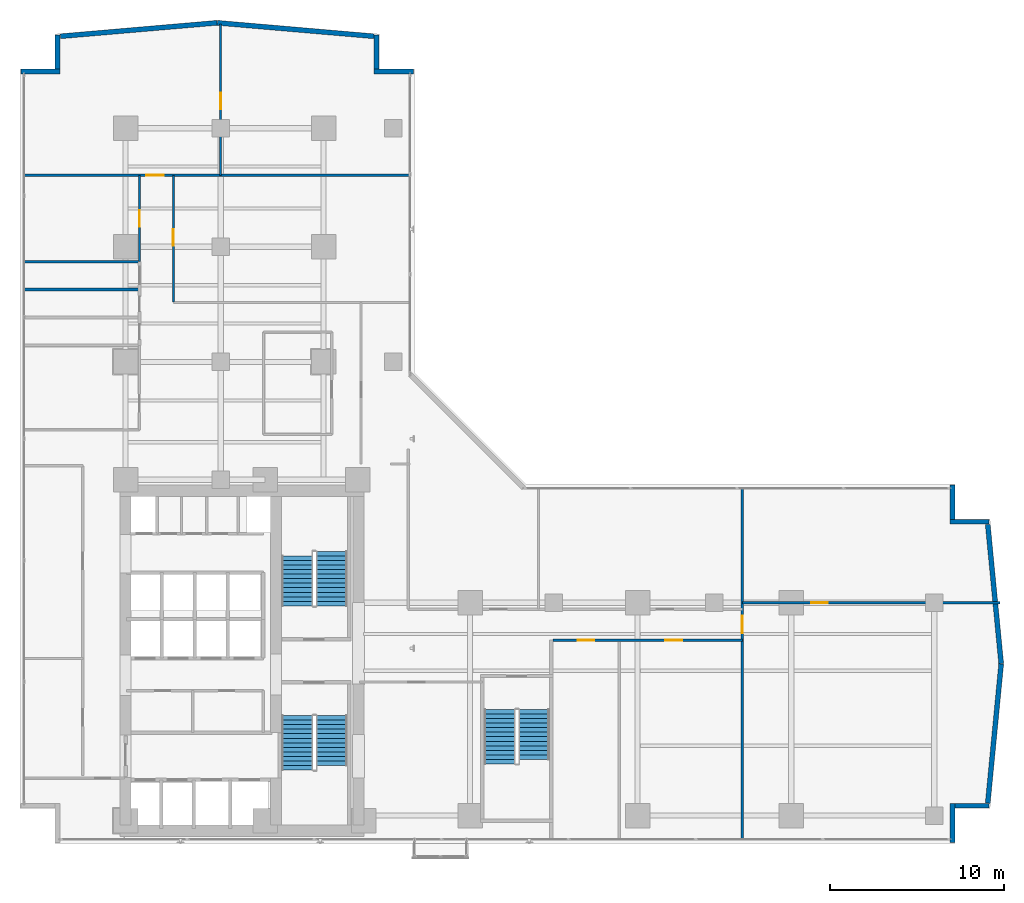
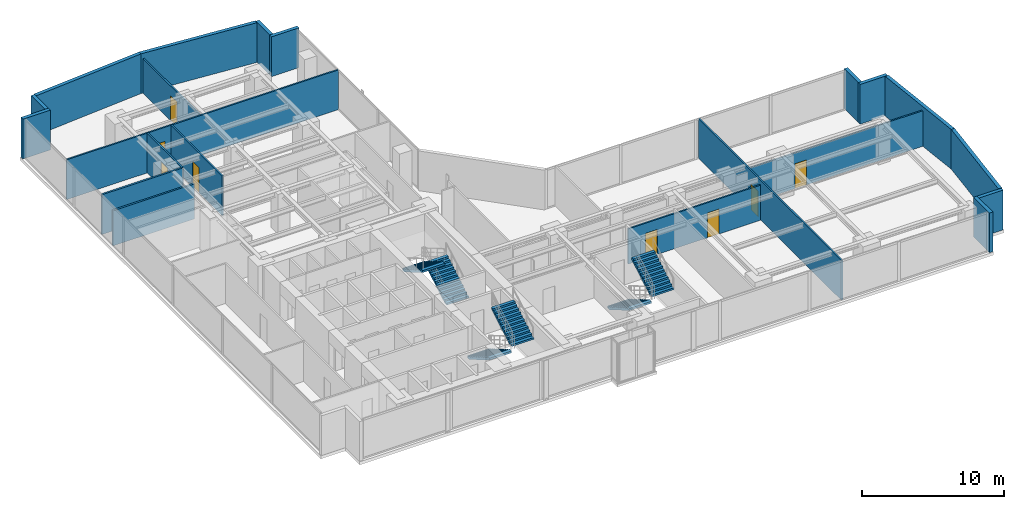
# One storey, part 21 of 25: 21 walls, 8 doors, 6 stair flights, 8 openings, 3 elements without a shape of their own.
"""IFC4 building model written with IfcOpenShell, lengths in metres."""

from ifc_helpers import new_model, si_unit, direction, frame, frame_2d, origin, place, context, subcontext, project, spatial, polyline, rectangle, outline, extrude, material, layer, layer_set, type_object, element, fill, aggregate, save


model = new_model("IFC4")

# Units and contexts
model_context = context("Model", 3, precision=1e-05, world=origin(), true_north=direction((0.0, 1.0)))
body_context = subcontext(model_context, "Body", "Model", "MODEL_VIEW")
ifc_project = project(units=[si_unit("LENGTHUNIT", "METRE"), si_unit("AREAUNIT", "SQUARE_METRE"), si_unit("VOLUMEUNIT", "CUBIC_METRE"), si_unit("PLANEANGLEUNIT", "RADIAN"), si_unit("MASSUNIT", "GRAM", prefix="KILO")], contexts=[model_context])

# Site, building, storey
site_placement = place(None, origin())
site = spatial("IfcSite", under=ifc_project, at=site_placement, CompositionType="ELEMENT")
building_placement = place(site_placement, origin())
building = spatial("IfcBuilding", under=site, at=building_placement, Name="Kolvaren Waterfront Exchange", CompositionType="ELEMENT")
storey_placement = place(building_placement, frame((0.0, 0.0, 137.300048828125)))
storey = spatial("IfcBuildingStorey", under=building, at=storey_placement, Name="L35", CompositionType="ELEMENT", Elevation=137.300048828125)

# Walls
ifc_material_1 = material(Name="Precast concrete C40/50", Category="concrete")
ifc_layer_1 = layer(ifc_material_1, 0.280029296875, Name="Precast concrete C40/50")
ifc_layer_set_1 = layer_set([ifc_layer_1], Name="Precast concrete C40/50")
wall_type_1 = type_object("IfcWallType", Name="ARC-EXT-TERR-280", PredefinedType="SOLIDWALL", material=ifc_layer_set_1)
wall_1_placement = place(storey_placement, frame((54.840087890625, 3.659912109375, 0.0), z_axis=(0.0, 0.0, 1.0), x_axis=(0.0, 1.0, 0.0)))
element("IfcWall", 1, at=wall_1_placement, inside=storey, type_object=wall_type_1, Name="L35 notched corner spandrel pier SE-A", PredefinedType="SOLIDWALL", context=body_context, shape_type="SweptSolid", body=[
    extrude(rectangle(XDim=2.239990234375, YDim=0.280029296875, at=frame_2d((1.1201171875, 0.0))), origin(), (0.0, 0.0, 1.0), 3.419921875),
])
wall_2_placement = place(storey_placement, frame((54.97998046875, 5.760009765625, 0.0), z_axis=(0.0, 0.0, 1.0), x_axis=(1.0, 0.0, 0.0)))
element("IfcWall", 2, at=wall_2_placement, inside=storey, type_object=wall_type_1, Name="L35 notched corner spandrel pier SE-B", PredefinedType="SOLIDWALL", context=body_context, shape_type="SweptSolid", body=[
    extrude(rectangle(XDim=1.9599609375, YDim=0.280029296875, at=frame_2d((0.97998046875, 0.0))), origin(), (0.0, 0.0, 1.0), 3.419921875),
])
wall_3_placement = place(storey_placement, frame((54.840087890625, 22.1650390625, 0.0), z_axis=(0.0, 0.0, 1.0), x_axis=(0.0, 1.0, 0.0)))
element("IfcWall", 3, at=wall_3_placement, inside=storey, type_object=wall_type_1, Name="L35 notched corner spandrel pier ENE-A", PredefinedType="SOLIDWALL", context=body_context, shape_type="SweptSolid", body=[
    extrude(rectangle(XDim=1.974853515625, YDim=0.280029296875, at=frame_2d((0.9873046875, 0.0))), origin(), (0.0, 0.0, 1.0), 3.419921875),
])
for number, where, z_axis, x_axis, name in (
    (4, (54.699951171875, 22.0400390625, 0.0), (0.0, 0.0, 1.0), (1.0, 0.0, 0.0), "L35 notched corner spandrel pier ENE-B"),
    (5, (21.699951171875, 47.840087890625, 0.0), (0.0, 0.0, 1.0), (1.0, 0.0, 0.0), "L35 notched corner spandrel pier NNE-A"),
):
    element("IfcWall", number, at=place(storey_placement, frame(where, z_axis=z_axis, x_axis=x_axis)), inside=storey, type_object=wall_type_1, Name=name, PredefinedType="SOLIDWALL", context=body_context, shape_type="SweptSolid", body=[
        extrude(rectangle(XDim=2.239990234375, YDim=0.280029296875, at=frame_2d((1.1201171875, 0.0))), origin(), (0.0, 0.0, 1.0), 3.419921875),
    ])
wall_4_placement = place(storey_placement, frame((21.840087890625, 47.97998046875, 0.0), z_axis=(0.0, 0.0, 1.0), x_axis=(0.0, 1.0, 0.0)))
element("IfcWall", 6, at=wall_4_placement, inside=storey, type_object=wall_type_1, Name="L35 notched corner spandrel pier NNE-B", PredefinedType="SOLIDWALL", context=body_context, shape_type="SweptSolid", body=[
    extrude(rectangle(XDim=1.9599609375, YDim=0.280029296875, at=frame_2d((0.97998046875, 0.0))), origin(), (0.0, 0.0, 1.0), 3.419921875),
])
wall_5_placement = place(storey_placement, frame((1.4599609375, 47.840087890625, 0.0), z_axis=(0.0, 0.0, 1.0), x_axis=(1.0, 0.0, 0.0)))
element("IfcWall", 7, at=wall_5_placement, inside=storey, type_object=wall_type_1, Name="L35 notched corner spandrel pier NW-A", PredefinedType="SOLIDWALL", context=body_context, shape_type="SweptSolid", body=[
    extrude(rectangle(XDim=2.239990234375, YDim=0.280029296875, at=frame_2d((1.1201171875, 0.0))), origin(), (0.0, 0.0, 1.0), 3.419921875),
])
wall_6_placement = place(storey_placement, frame((3.56005859375, 47.97998046875, 0.0), z_axis=(0.0, 0.0, 1.0), x_axis=(0.0, 1.0, 0.0)))
element("IfcWall", 8, at=wall_6_placement, inside=storey, type_object=wall_type_1, Name="L35 notched corner spandrel pier NW-B", PredefinedType="SOLIDWALL", context=body_context, shape_type="SweptSolid", body=[
    extrude(rectangle(XDim=1.9599609375, YDim=0.280029296875, at=frame_2d((0.97998046875, 0.0))), origin(), (0.0, 0.0, 1.0), 3.419921875),
])
for number, where, z_axis, x_axis, name in (
    (9, (56.869384765625, 5.9140625, 0.0), (0.0, 0.0, 1.0), (0.095969995245, 0.995384227328, 0.0), "L35 east prow faceted facade wall 1"),
    (10, (57.638916015625, 13.904541015625, 0.0), (0.0, 0.0, 1.0), (-0.095969995245, 0.995384227328, 0.0), "L35 east prow faceted facade wall 2"),
):
    element("IfcWall", number, at=place(storey_placement, frame(where, z_axis=z_axis, x_axis=x_axis)), inside=storey, type_object=wall_type_1, Name=name, PredefinedType="SOLIDWALL", context=body_context, shape_type="SweptSolid", body=[
        extrude(rectangle(XDim=8.0185546875, YDim=0.280029296875, at=frame_2d((4.00927734375, 0.0))), origin(), (0.0, 0.0, 1.0), 3.419921875),
    ])
for number, where, z_axis, x_axis, name in (
    (11, (21.6875, 49.8662109375, 0.0), (0.0, 0.0, 1.0), (-0.996319339243, 0.085719159179, 0.0), "L35 north prow faceted facade wall 1"),
    (12, (12.69384765625, 50.638916015625, 0.0), (0.0, 0.0, 1.0), (-0.996319339243, -0.085719159179, 0.0), "L35 north prow faceted facade wall 2"),
):
    element("IfcWall", number, at=place(storey_placement, frame(where, z_axis=z_axis, x_axis=x_axis)), inside=storey, type_object=wall_type_1, Name=name, PredefinedType="SOLIDWALL", context=body_context, shape_type="SweptSolid", body=[
        extrude(rectangle(XDim=9.014404296875, YDim=0.280029296875, at=frame_2d((4.50732421875, 0.0))), origin(), (0.0, 0.0, 1.0), 3.419921875),
    ])

# Wall, openings, doors
ifc_material_2 = material(Name="Acoustic gypsum steel stud", Category="steel")
ifc_layer_2 = layer(ifc_material_2, 0.125, Name="Acoustic gypsum steel stud")
ifc_layer_set_2 = layer_set([ifc_layer_2], Name="Acoustic gypsum steel stud")
wall_type_2 = type_object("IfcWallType", Name="ARC-PART-125", PredefinedType="PARTITIONING", material=ifc_layer_set_2)
wall_7_placement = place(storey_placement, frame((31.949951171875, 15.25, 0.0), z_axis=(0.0, 0.0, 1.0), x_axis=(1.0, 0.0, 0.0)))
wall_7 = element("IfcWall", 13, at=wall_7_placement, inside=storey, type_object=wall_type_2, Name="L35 interior wall PW-L35-ES-CORR", PredefinedType="PARTITIONING", context=body_context, shape_type="SweptSolid", body=[
    extrude(rectangle(XDim=10.85009765625, YDim=0.125, at=frame_2d((5.425048828125, 0.0))), origin(), (0.0, 0.0, 1.0), 3.02001953125),
])
opening_1_placement = place(wall_7_placement, frame((1.425048828125, 0.0, 0.0)))
opening_1 = element("IfcOpeningElement", 14, at=opening_1_placement, cuts=wall_7, Name="Opening D02", PredefinedType="OPENING", context=body_context, shape_type="SweptSolid", body=[
    extrude(rectangle(XDim=0.949951171875, YDim=2.14990234375, at=frame_2d((0.47509765625, 1.074951171875))), frame((0.0, 0.072509765625, 0.0), z_axis=(0.0, -1.0, 0.0), x_axis=(1.0, 0.0, 0.0)), (0.0, 0.0, 1.0), 0.14501953125),
])
opening_2_placement = place(wall_7_placement, frame((6.4453125, 0.0, 0.0)))
opening_2 = element("IfcOpeningElement", 15, at=opening_2_placement, cuts=wall_7, Name="Opening D02", PredefinedType="OPENING", context=body_context, shape_type="SweptSolid", body=[
    extrude(rectangle(XDim=0.949951171875, YDim=2.14990234375, at=frame_2d((0.47509765625, 1.074951171875))), frame((0.0, 0.072509765625, 0.0), z_axis=(0.0, -1.0, 0.0), x_axis=(1.0, 0.0, 0.0)), (0.0, 0.0, 1.0), 0.14501953125),
])
ifc_material_3 = material(Name="Oak veneer acoustic timber", Category="wood")
door_type_1 = type_object("IfcDoorType", Name="ARC-DR-950", OperationType="NOTDEFINED", PredefinedType="DOOR", material=ifc_material_3)
door_1_placement = place(opening_1_placement, origin())
door_1 = element("IfcDoor", 16, at=door_1_placement, inside=storey, type_object=door_type_1, Name="L35 door DR-L35-ES-D-1 (D02)", OperationType="SINGLE_SWING_LEFT", OverallHeight=2.14990234375, OverallWidth=0.949951171875, PredefinedType="DOOR", context=body_context, shape_type="SweptSolid", body=[
    extrude(rectangle(XDim=0.949951171875, YDim=2.14990234375, at=frame_2d((0.47509765625, 1.074951171875))), frame((0.0, 0.02490234375, 0.0), z_axis=(0.0, -1.0, 0.0), x_axis=(1.0, 0.0, 0.0)), (0.0, 0.0, 1.0), 0.050048828125),
])
fill(opening_1, door_1)
door_2_placement = place(opening_2_placement, origin())
door_2 = element("IfcDoor", 17, at=door_2_placement, inside=storey, type_object=door_type_1, Name="L35 door DR-L35-ES-D-2 (D02)", OperationType="SINGLE_SWING_RIGHT", OverallHeight=2.14990234375, OverallWidth=0.949951171875, PredefinedType="DOOR", context=body_context, shape_type="SweptSolid", body=[
    extrude(rectangle(XDim=0.949951171875, YDim=2.14990234375, at=frame_2d((0.47509765625, 1.074951171875))), frame((0.0, 0.02490234375, 0.0), z_axis=(0.0, -1.0, 0.0), x_axis=(1.0, 0.0, 0.0)), (0.0, 0.0, 1.0), 0.050048828125),
])
fill(opening_2, door_2)

# Wall, opening, door
wall_8_placement = place(storey_placement, frame((42.800048828125, 3.840087890625, 0.0), z_axis=(0.0, 0.0, 1.0), x_axis=(0.0, 1.0, 0.0)))
wall_8 = element("IfcWall", 18, at=wall_8_placement, inside=storey, type_object=wall_type_2, Name="L35 interior wall PW-L35-ETIP-W", PredefinedType="PARTITIONING", context=body_context, shape_type="SweptSolid", body=[
    extrude(rectangle(XDim=20.119873046875, YDim=0.125, at=frame_2d((10.06005859375, 0.0))), origin(), (0.0, 0.0, 1.0), 3.419921875),
])
opening_3_placement = place(wall_8_placement, frame((11.800048828125, 0.0, 0.0)))
opening_3 = element("IfcOpeningElement", 19, at=opening_3_placement, cuts=wall_8, Name="Opening D03", PredefinedType="OPENING", context=body_context, shape_type="SweptSolid", body=[
    extrude(rectangle(XDim=1.0, YDim=2.199951171875, at=frame_2d((0.5, 1.10009765625))), frame((0.0, 0.072509765625, 0.0), z_axis=(0.0, -1.0, 0.0), x_axis=(1.0, 0.0, 0.0)), (0.0, 0.0, 1.0), 0.14501953125),
])
ifc_material_4 = material(Name="Oak veneer accessible timber", Category="wood")
door_type_2 = type_object("IfcDoorType", Name="ARC-DR-1000", OperationType="NOTDEFINED", PredefinedType="DOOR", material=ifc_material_4)
door_3_placement = place(opening_3_placement, origin())
door_3 = element("IfcDoor", 20, at=door_3_placement, inside=storey, type_object=door_type_2, Name="L35 door DR-L35-ETIP1-D (D03)", OperationType="SINGLE_SWING_LEFT", OverallHeight=2.199951171875, OverallWidth=1.0, PredefinedType="DOOR", context=body_context, shape_type="SweptSolid", body=[
    extrude(rectangle(XDim=1.0, YDim=2.199951171875, at=frame_2d((0.5, 1.10009765625))), frame((0.0, 0.02490234375, 0.0), z_axis=(0.0, -1.0, 0.0), x_axis=(1.0, 0.0, 0.0)), (0.0, 0.0, 1.0), 0.050048828125),
])
fill(opening_3, door_3)

wall_9_placement = place(storey_placement, frame((42.800048828125, 17.39990234375, 0.0), z_axis=(0.0, 0.0, 1.0), x_axis=(1.0, 0.0, 0.0)))
wall_9 = element("IfcWall", 21, at=wall_9_placement, inside=storey, type_object=wall_type_2, Name="L35 interior wall PW-L35-ETIP-MID", PredefinedType="PARTITIONING", context=body_context, shape_type="SweptSolid", body=[
    extrude(rectangle(XDim=14.760009765625, YDim=0.125, at=frame_2d((7.3798828125, 0.0))), origin(), (0.0, 0.0, 1.0), 3.06005859375),
])
opening_4_placement = place(wall_9_placement, frame((3.956298828125, 0.0, 0.0)))
opening_4 = element("IfcOpeningElement", 22, at=opening_4_placement, cuts=wall_9, Name="Opening D02", PredefinedType="OPENING", context=body_context, shape_type="SweptSolid", body=[
    extrude(rectangle(XDim=0.949951171875, YDim=2.14990234375, at=frame_2d((0.47509765625, 1.074951171875))), frame((0.0, 0.072509765625, 0.0), z_axis=(0.0, -1.0, 0.0), x_axis=(1.0, 0.0, 0.0)), (0.0, 0.0, 1.0), 0.14501953125),
])
door_4_placement = place(opening_4_placement, origin())
door_4 = element("IfcDoor", 23, at=door_4_placement, inside=storey, type_object=door_type_1, Name="L35 door DR-L35-ETIP2-D (D02)", OperationType="SINGLE_SWING_RIGHT", OverallHeight=2.14990234375, OverallWidth=0.949951171875, PredefinedType="DOOR", context=body_context, shape_type="SweptSolid", body=[
    extrude(rectangle(XDim=0.949951171875, YDim=2.14990234375, at=frame_2d((0.47509765625, 1.074951171875))), frame((0.0, 0.02490234375, 0.0), z_axis=(0.0, -1.0, 0.0), x_axis=(1.0, 0.0, 0.0)), (0.0, 0.0, 1.0), 0.050048828125),
])
fill(opening_4, door_4)

wall_10_placement = place(storey_placement, frame((8.25, 36.949951171875, 0.0), z_axis=(0.0, 0.0, 1.0), x_axis=(0.0, 1.0, 0.0)))
wall_10 = element("IfcWall", 24, at=wall_10_placement, inside=storey, type_object=wall_type_2, Name="L35 interior wall PW-L35-NW-CORR", PredefinedType="PARTITIONING", context=body_context, shape_type="SweptSolid", body=[
    extrude(rectangle(XDim=4.949951171875, YDim=0.125, at=frame_2d((2.47509765625, 0.0))), origin(), (0.0, 0.0, 1.0), 3.419921875),
])
opening_5_placement = place(wall_10_placement, frame((2.0, 0.0, 0.0)))
opening_5 = element("IfcOpeningElement", 25, at=opening_5_placement, cuts=wall_10, Name="Opening D02", PredefinedType="OPENING", context=body_context, shape_type="SweptSolid", body=[
    extrude(rectangle(XDim=0.949951171875, YDim=2.14990234375, at=frame_2d((0.47509765625, 1.074951171875))), frame((0.0, 0.072509765625, 0.0), z_axis=(0.0, -1.0, 0.0), x_axis=(1.0, 0.0, 0.0)), (0.0, 0.0, 1.0), 0.14501953125),
])
door_5_placement = place(opening_5_placement, origin())
door_5 = element("IfcDoor", 26, at=door_5_placement, inside=storey, type_object=door_type_1, Name="L35 door DR-L35-NW-D-1 (D02)", OperationType="SINGLE_SWING_LEFT", OverallHeight=2.14990234375, OverallWidth=0.949951171875, PredefinedType="DOOR", context=body_context, shape_type="SweptSolid", body=[
    extrude(rectangle(XDim=0.949951171875, YDim=2.14990234375, at=frame_2d((0.47509765625, 1.074951171875))), frame((0.0, 0.02490234375, 0.0), z_axis=(0.0, -1.0, 0.0), x_axis=(1.0, 0.0, 0.0)), (0.0, 0.0, 1.0), 0.050048828125),
])
fill(opening_5, door_5)

wall_11_placement = place(storey_placement, frame((1.639892578125, 41.89990234375, 0.0), z_axis=(0.0, 0.0, 1.0), x_axis=(1.0, 0.0, 0.0)))
wall_11 = element("IfcWall", 27, at=wall_11_placement, inside=storey, type_object=wall_type_2, Name="L35 interior wall PW-L35-NTIP-S", PredefinedType="PARTITIONING", context=body_context, shape_type="SweptSolid", body=[
    extrude(rectangle(XDim=22.1201171875, YDim=0.125, at=frame_2d((11.06005859375, 0.0))), origin(), (0.0, 0.0, 1.0), 3.419921875),
])
opening_6_placement = place(wall_11_placement, frame((7.010009765625, 0.0, 0.0)))
opening_6 = element("IfcOpeningElement", 28, at=opening_6_placement, cuts=wall_11, Name="Opening D03", PredefinedType="OPENING", context=body_context, shape_type="SweptSolid", body=[
    extrude(rectangle(XDim=1.0, YDim=2.199951171875, at=frame_2d((0.5, 1.10009765625))), frame((0.0, 0.072509765625, 0.0), z_axis=(0.0, -1.0, 0.0), x_axis=(1.0, 0.0, 0.0)), (0.0, 0.0, 1.0), 0.14501953125),
])
door_6_placement = place(opening_6_placement, origin())
door_6 = element("IfcDoor", 29, at=door_6_placement, inside=storey, type_object=door_type_2, Name="L35 door DR-L35-NTIPW-D (D03)", OperationType="SINGLE_SWING_RIGHT", OverallHeight=2.199951171875, OverallWidth=1.0, PredefinedType="DOOR", context=body_context, shape_type="SweptSolid", body=[
    extrude(rectangle(XDim=1.0, YDim=2.199951171875, at=frame_2d((0.5, 1.10009765625))), frame((0.0, 0.02490234375, 0.0), z_axis=(0.0, -1.0, 0.0), x_axis=(1.0, 0.0, 0.0)), (0.0, 0.0, 1.0), 0.050048828125),
])
fill(opening_6, door_6)

wall_12_placement = place(storey_placement, frame((12.89990234375, 41.89990234375, 0.0), z_axis=(0.0, 0.0, 1.0), x_axis=(0.0, 1.0, 0.0)))
wall_12 = element("IfcWall", 30, at=wall_12_placement, inside=storey, type_object=wall_type_2, Name="L35 interior wall PW-L35-NTIP-DIV", PredefinedType="PARTITIONING", context=body_context, shape_type="SweptSolid", body=[
    extrude(rectangle(XDim=8.66015625, YDim=0.125, at=frame_2d((4.330078125, 0.0))), origin(), (0.0, 0.0, 1.0), 2.969970703125),
])
opening_7_placement = place(wall_12_placement, frame((3.77880859375, 0.0, 0.0)))
opening_7 = element("IfcOpeningElement", 31, at=opening_7_placement, cuts=wall_12, Name="Opening D02", PredefinedType="OPENING", context=body_context, shape_type="SweptSolid", body=[
    extrude(rectangle(XDim=0.949951171875, YDim=2.14990234375, at=frame_2d((0.47509765625, 1.074951171875))), frame((0.0, 0.072509765625, 0.0), z_axis=(0.0, -1.0, 0.0), x_axis=(1.0, 0.0, 0.0)), (0.0, 0.0, 1.0), 0.14501953125),
])
door_7_placement = place(opening_7_placement, origin())
door_7 = element("IfcDoor", 32, at=door_7_placement, inside=storey, type_object=door_type_1, Name="L35 door DR-L35-NTIPE-D (D02)", OperationType="SINGLE_SWING_LEFT", OverallHeight=2.14990234375, OverallWidth=0.949951171875, PredefinedType="DOOR", context=body_context, shape_type="SweptSolid", body=[
    extrude(rectangle(XDim=0.949951171875, YDim=2.14990234375, at=frame_2d((0.47509765625, 1.074951171875))), frame((0.0, 0.02490234375, 0.0), z_axis=(0.0, -1.0, 0.0), x_axis=(1.0, 0.0, 0.0)), (0.0, 0.0, 1.0), 0.050048828125),
])
fill(opening_7, door_7)

wall_13_placement = place(storey_placement, frame((10.18994140625, 34.64990234375, 0.0), z_axis=(0.0, 0.0, 1.0), x_axis=(0.0, 1.0, 0.0)))
wall_13 = element("IfcWall", 33, at=wall_13_placement, inside=storey, type_object=wall_type_2, Name="L35 interior wall PW-L35-NE-CORR", PredefinedType="PARTITIONING", context=body_context, shape_type="SweptSolid", body=[
    extrude(rectangle(XDim=7.25, YDim=0.125, at=frame_2d((3.625, 0.0))), origin(), (0.0, 0.0, 1.0), 3.419921875),
])
opening_8_placement = place(wall_13_placement, frame((3.220458984375, 0.0, 0.0)))
opening_8 = element("IfcOpeningElement", 34, at=opening_8_placement, cuts=wall_13, Name="Opening D02", PredefinedType="OPENING", context=body_context, shape_type="SweptSolid", body=[
    extrude(rectangle(XDim=0.949951171875, YDim=2.14990234375, at=frame_2d((0.47509765625, 1.074951171875))), frame((0.0, 0.072509765625, 0.0), z_axis=(0.0, -1.0, 0.0), x_axis=(1.0, 0.0, 0.0)), (0.0, 0.0, 1.0), 0.14501953125),
])
door_8_placement = place(opening_8_placement, origin())
door_8 = element("IfcDoor", 35, at=door_8_placement, inside=storey, type_object=door_type_1, Name="L35 door DR-L35-NE-D-1 (D02)", OperationType="SINGLE_SWING_RIGHT", OverallHeight=2.14990234375, OverallWidth=0.949951171875, PredefinedType="DOOR", context=body_context, shape_type="SweptSolid", body=[
    extrude(rectangle(XDim=0.949951171875, YDim=2.14990234375, at=frame_2d((0.47509765625, 1.074951171875))), frame((0.0, 0.02490234375, 0.0), z_axis=(0.0, -1.0, 0.0), x_axis=(1.0, 0.0, 0.0)), (0.0, 0.0, 1.0), 0.050048828125),
])
fill(opening_8, door_8)

# Walls
ifc_material_5 = material(Name="Moisture-resistant gypsum stud")
ifc_layer_3 = layer(ifc_material_5, 0.14990234375, Name="Moisture-resistant gypsum stud")
ifc_layer_set_3 = layer_set([ifc_layer_3], Name="Moisture-resistant gypsum stud")
wall_type_3 = type_object("IfcWallType", Name="ARC-PLUMB-150", PredefinedType="PLUMBINGWALL", material=ifc_layer_set_3)
wall_14_placement = place(storey_placement, frame((1.639892578125, 35.35009765625, 0.0), z_axis=(0.0, 0.0, 1.0), x_axis=(1.0, 0.0, 0.0)))
element("IfcWall", 36, at=wall_14_placement, inside=storey, type_object=wall_type_3, Name="L35 interior wall PW-L35-WC-2", PredefinedType="PLUMBINGWALL", context=body_context, shape_type="SweptSolid", body=[
    extrude(rectangle(XDim=6.610107421875, YDim=0.14990234375, at=frame_2d((3.30517578125, 0.0))), origin(), (0.0, 0.0, 1.0), 3.02001953125),
])
wall_15_placement = place(storey_placement, frame((1.639892578125, 36.949951171875, 0.0), z_axis=(0.0, 0.0, 1.0), x_axis=(1.0, 0.0, 0.0)))
element("IfcWall", 37, at=wall_15_placement, inside=storey, type_object=wall_type_3, Name="L35 interior wall PW-L35-WC-3", PredefinedType="PLUMBINGWALL", context=body_context, shape_type="SweptSolid", body=[
    extrude(rectangle(XDim=6.610107421875, YDim=0.14990234375, at=frame_2d((3.30517578125, 0.0))), origin(), (0.0, 0.0, 1.0), 3.419921875),
])

# Stair, stair flights
ifc_material_6 = material(Name="Concrete C40/50", Category="concrete")
stair_type = type_object("IfcStairType", Name="ARC-STAIR-3800", PredefinedType="HALF_TURN_STAIR", material=ifc_material_6)
stair_1_placement = place(storey_placement, origin())
stair_1 = element("IfcStair", 38, at=stair_1_placement, inside=storey, type_object=stair_type, Name="L35 Smoke-proof exit stair ST1", PredefinedType="HALF_TURN_STAIR")
stair_flight_type = type_object("IfcStairFlightType", Name="ARC-FLIGHT-3800", PredefinedType="STRAIGHT", material=ifc_material_6)
stair_flight_1_placement = place(storey_placement, frame((17.300048828125, 10.929931640625, 0.0), z_axis=(0.0, 0.0, 1.0), x_axis=(0.0, -1.0, 0.0)))
stair_flight_1 = element("IfcStairFlight", 39, at=stair_flight_1_placement, type_object=stair_flight_type, Name="ST1 flight 1", NumberOfRisers=13, NumberOfTreads=12, PredefinedType="STRAIGHT", RiserHeight=0.152, TreadLength=0.26, context=body_context, shape_type="SweptSolid", body=[
    extrude(outline(polyline([(0.0, 0.0), (0.0, 0.152099609375), (0.260009765625, 0.152099609375), (0.260009765625, 0.303955078125), (0.52001953125, 0.303955078125), (0.52001953125, 0.4560546875), (0.780029296875, 0.4560546875), (0.780029296875, 0.60791015625), (1.0400390625, 0.60791015625), (1.0400390625, 0.760009765625), (1.300048828125, 0.760009765625), (1.300048828125, 0.912109375), (1.56005859375, 0.912109375), (1.56005859375, 1.06396484375), (1.820068359375, 1.06396484375), (1.820068359375, 1.216064453125), (2.080078125, 1.216064453125), (2.080078125, 1.367919921875), (2.340087890625, 1.367919921875), (2.340087890625, 1.52001953125), (2.60009765625, 1.52001953125), (2.60009765625, 1.672119140625), (2.860107421875, 1.672119140625), (2.860107421875, 1.823974609375), (3.1201171875, 1.823974609375), (3.1201171875, 1.97607421875), (3.1201171875, 1.650390625), (0.297119140625, 0.0), (0.0, 0.0)])), frame((0.0, 0.89990234375, 0.0), z_axis=(0.0, -1.0, 0.0), x_axis=(1.0, 0.0, 0.0)), (0.0, 0.0, 1.0), 1.800048828125),
])
stair_flight_2_placement = place(storey_placement, frame((19.260009765625, 8.070068359375, 1.975830078125), z_axis=(0.0, 0.0, 1.0), x_axis=(0.0, 1.0, 0.0)))
stair_flight_2 = element("IfcStairFlight", 40, at=stair_flight_2_placement, type_object=stair_flight_type, Name="ST1 flight 2", NumberOfRisers=12, NumberOfTreads=11, PredefinedType="STRAIGHT", RiserHeight=0.152, TreadLength=0.26, context=body_context, shape_type="SweptSolid", body=[
    extrude(outline(polyline([(0.0, 0.0), (0.0, 0.152099609375), (0.260009765625, 0.152099609375), (0.260009765625, 0.303955078125), (0.52001953125, 0.303955078125), (0.52001953125, 0.4560546875), (0.780029296875, 0.4560546875), (0.780029296875, 0.60791015625), (1.0400390625, 0.60791015625), (1.0400390625, 0.760009765625), (1.300048828125, 0.760009765625), (1.300048828125, 0.912109375), (1.56005859375, 0.912109375), (1.56005859375, 1.06396484375), (1.820068359375, 1.06396484375), (1.820068359375, 1.216064453125), (2.080078125, 1.216064453125), (2.080078125, 1.367919921875), (2.340087890625, 1.367919921875), (2.340087890625, 1.52001953125), (2.60009765625, 1.52001953125), (2.60009765625, 1.672119140625), (2.860107421875, 1.672119140625), (2.860107421875, 1.823974609375), (2.860107421875, 1.498291015625), (0.297119140625, 0.0), (0.0, 0.0)])), frame((0.0, 0.89990234375, 0.0), z_axis=(0.0, -1.0, 0.0), x_axis=(1.0, 0.0, 0.0)), (0.0, 0.0, 1.0), 1.800048828125),
])
aggregate(stair_1, [stair_flight_1, stair_flight_2])

stair_2_placement = place(storey_placement, origin())
stair_2 = element("IfcStair", 41, at=stair_2_placement, inside=storey, type_object=stair_type, Name="L35 Smoke-proof exit stair ST2", PredefinedType="HALF_TURN_STAIR")
stair_flight_3_placement = place(storey_placement, frame((19.260009765625, 17.219970703125, 0.0), z_axis=(0.0, 0.0, 1.0), x_axis=(0.0, 1.0, 0.0)))
stair_flight_3 = element("IfcStairFlight", 42, at=stair_flight_3_placement, type_object=stair_flight_type, Name="ST2 flight 1", NumberOfRisers=13, NumberOfTreads=12, PredefinedType="STRAIGHT", RiserHeight=0.152, TreadLength=0.26, context=body_context, shape_type="SweptSolid", body=[
    extrude(outline(polyline([(0.0, 0.0), (0.0, 0.152099609375), (0.260009765625, 0.152099609375), (0.260009765625, 0.303955078125), (0.52001953125, 0.303955078125), (0.52001953125, 0.4560546875), (0.780029296875, 0.4560546875), (0.780029296875, 0.60791015625), (1.0400390625, 0.60791015625), (1.0400390625, 0.760009765625), (1.300048828125, 0.760009765625), (1.300048828125, 0.912109375), (1.56005859375, 0.912109375), (1.56005859375, 1.06396484375), (1.820068359375, 1.06396484375), (1.820068359375, 1.216064453125), (2.080078125, 1.216064453125), (2.080078125, 1.367919921875), (2.340087890625, 1.367919921875), (2.340087890625, 1.52001953125), (2.60009765625, 1.52001953125), (2.60009765625, 1.672119140625), (2.860107421875, 1.672119140625), (2.860107421875, 1.823974609375), (3.1201171875, 1.823974609375), (3.1201171875, 1.97607421875), (3.1201171875, 1.650390625), (0.297119140625, 0.0), (0.0, 0.0)])), frame((0.0, 0.89990234375, 0.0), z_axis=(0.0, -1.0, 0.0), x_axis=(1.0, 0.0, 0.0)), (0.0, 0.0, 1.0), 1.800048828125),
])
stair_flight_4_placement = place(storey_placement, frame((17.300048828125, 20.080078125, 1.975830078125), z_axis=(0.0, 0.0, 1.0), x_axis=(0.0, -1.0, 0.0)))
stair_flight_4 = element("IfcStairFlight", 43, at=stair_flight_4_placement, type_object=stair_flight_type, Name="ST2 flight 2", NumberOfRisers=12, NumberOfTreads=11, PredefinedType="STRAIGHT", RiserHeight=0.152, TreadLength=0.26, context=body_context, shape_type="SweptSolid", body=[
    extrude(outline(polyline([(0.0, 0.0), (0.0, 0.152099609375), (0.260009765625, 0.152099609375), (0.260009765625, 0.303955078125), (0.52001953125, 0.303955078125), (0.52001953125, 0.4560546875), (0.780029296875, 0.4560546875), (0.780029296875, 0.60791015625), (1.0400390625, 0.60791015625), (1.0400390625, 0.760009765625), (1.300048828125, 0.760009765625), (1.300048828125, 0.912109375), (1.56005859375, 0.912109375), (1.56005859375, 1.06396484375), (1.820068359375, 1.06396484375), (1.820068359375, 1.216064453125), (2.080078125, 1.216064453125), (2.080078125, 1.367919921875), (2.340087890625, 1.367919921875), (2.340087890625, 1.52001953125), (2.60009765625, 1.52001953125), (2.60009765625, 1.672119140625), (2.860107421875, 1.672119140625), (2.860107421875, 1.823974609375), (2.860107421875, 1.498291015625), (0.297119140625, 0.0), (0.0, 0.0)])), frame((0.0, 0.89990234375, 0.0), z_axis=(0.0, -1.0, 0.0), x_axis=(1.0, 0.0, 0.0)), (0.0, 0.0, 1.0), 1.800048828125),
])
aggregate(stair_2, [stair_flight_3, stair_flight_4])

stair_3_placement = place(storey_placement, origin())
stair_3 = element("IfcStair", 44, at=stair_3_placement, inside=storey, type_object=stair_type, Name="L35 Exit stair ST3", PredefinedType="HALF_TURN_STAIR")
stair_flight_5_placement = place(storey_placement, frame((28.89990234375, 11.280029296875, 0.0), z_axis=(0.0, 0.0, 1.0), x_axis=(0.0, -1.0, 0.0)))
stair_flight_5 = element("IfcStairFlight", 45, at=stair_flight_5_placement, type_object=stair_flight_type, Name="ST3 flight 1", NumberOfRisers=13, NumberOfTreads=12, PredefinedType="STRAIGHT", RiserHeight=0.152, TreadLength=0.26, context=body_context, shape_type="SweptSolid", body=[
    extrude(outline(polyline([(0.0, 0.0), (0.0, 0.152099609375), (0.260009765625, 0.152099609375), (0.260009765625, 0.303955078125), (0.52001953125, 0.303955078125), (0.52001953125, 0.4560546875), (0.780029296875, 0.4560546875), (0.780029296875, 0.60791015625), (1.0400390625, 0.60791015625), (1.0400390625, 0.760009765625), (1.300048828125, 0.760009765625), (1.300048828125, 0.912109375), (1.56005859375, 0.912109375), (1.56005859375, 1.06396484375), (1.820068359375, 1.06396484375), (1.820068359375, 1.216064453125), (2.080078125, 1.216064453125), (2.080078125, 1.367919921875), (2.340087890625, 1.367919921875), (2.340087890625, 1.52001953125), (2.60009765625, 1.52001953125), (2.60009765625, 1.672119140625), (2.860107421875, 1.672119140625), (2.860107421875, 1.823974609375), (3.1201171875, 1.823974609375), (3.1201171875, 1.97607421875), (3.1201171875, 1.650390625), (0.297119140625, 0.0), (0.0, 0.0)])), frame((0.0, 0.89990234375, 0.0), z_axis=(0.0, -1.0, 0.0), x_axis=(1.0, 0.0, 0.0)), (0.0, 0.0, 1.0), 1.800048828125),
])
stair_flight_6_placement = place(storey_placement, frame((30.860107421875, 8.419921875, 1.975830078125), z_axis=(0.0, 0.0, 1.0), x_axis=(0.0, 1.0, 0.0)))
stair_flight_6 = element("IfcStairFlight", 46, at=stair_flight_6_placement, type_object=stair_flight_type, Name="ST3 flight 2", NumberOfRisers=12, NumberOfTreads=11, PredefinedType="STRAIGHT", RiserHeight=0.152, TreadLength=0.26, context=body_context, shape_type="SweptSolid", body=[
    extrude(outline(polyline([(0.0, 0.0), (0.0, 0.152099609375), (0.260009765625, 0.152099609375), (0.260009765625, 0.303955078125), (0.52001953125, 0.303955078125), (0.52001953125, 0.4560546875), (0.780029296875, 0.4560546875), (0.780029296875, 0.60791015625), (1.0400390625, 0.60791015625), (1.0400390625, 0.760009765625), (1.300048828125, 0.760009765625), (1.300048828125, 0.912109375), (1.56005859375, 0.912109375), (1.56005859375, 1.06396484375), (1.820068359375, 1.06396484375), (1.820068359375, 1.216064453125), (2.080078125, 1.216064453125), (2.080078125, 1.367919921875), (2.340087890625, 1.367919921875), (2.340087890625, 1.52001953125), (2.60009765625, 1.52001953125), (2.60009765625, 1.672119140625), (2.860107421875, 1.672119140625), (2.860107421875, 1.823974609375), (2.860107421875, 1.498291015625), (0.297119140625, 0.0), (0.0, 0.0)])), frame((0.0, 0.89990234375, 0.0), z_axis=(0.0, -1.0, 0.0), x_axis=(1.0, 0.0, 0.0)), (0.0, 0.0, 1.0), 1.800048828125),
])
aggregate(stair_3, [stair_flight_5, stair_flight_6])

save(model, "model.ifc")
